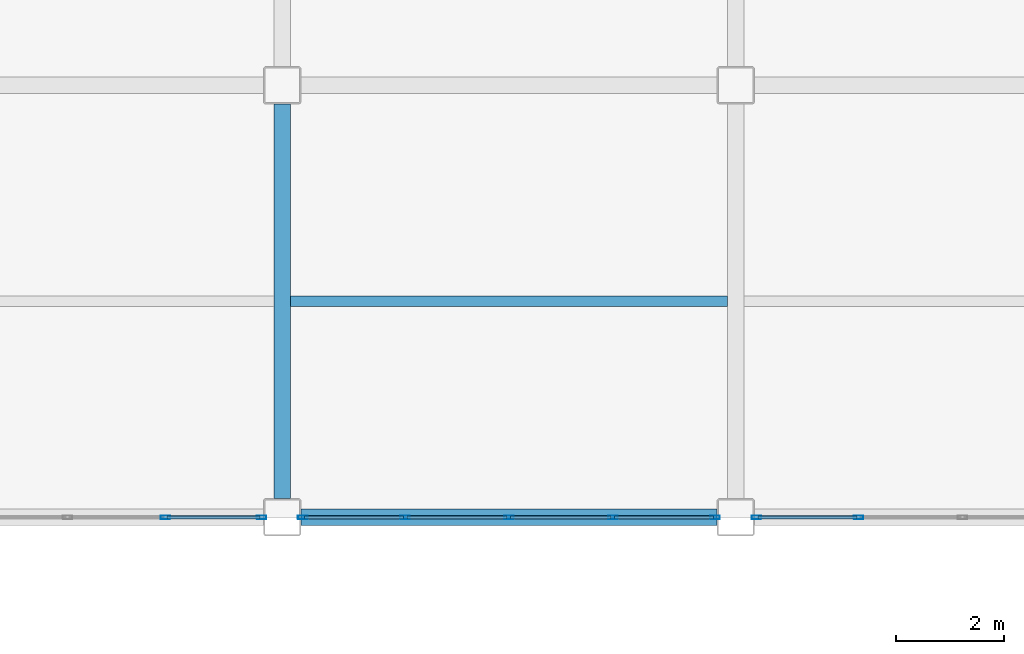
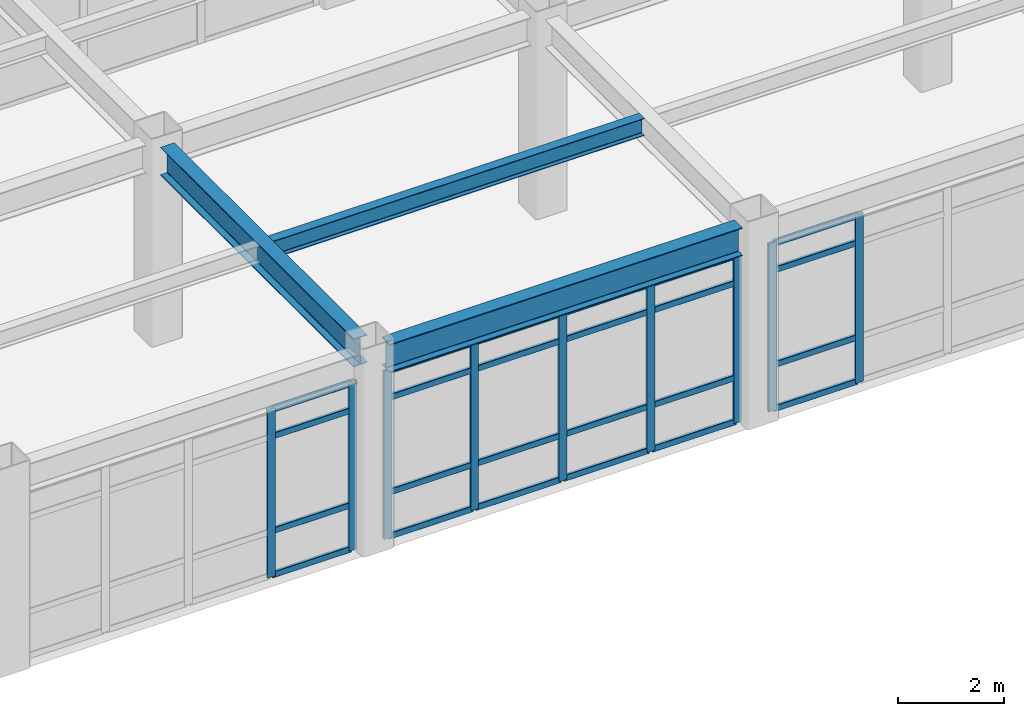
# One storey, part 47 of 154: 33 members, 3 beams, 3 elements without a shape of their own.
"""IFC4 building model written with IfcOpenShell, lengths in metres."""

from ifc_helpers import new_model, si_unit, direction, frame, origin, origin_2d, place, context, subcontext, project, spatial, hollow_rectangle, i_section, extrude, material, layer, layer_set, material_profile, profile_set, type_object, element, aggregate, save


model = new_model("IFC4")

# Units and contexts
model_context = context("Model", 3, precision=1e-05, world=origin(), true_north=direction((0.0, 1.0)))
body_context = subcontext(model_context, "Body", "Model", "MODEL_VIEW")
ifc_project = project(units=[si_unit("LENGTHUNIT", "METRE"), si_unit("AREAUNIT", "SQUARE_METRE"), si_unit("VOLUMEUNIT", "CUBIC_METRE"), si_unit("PLANEANGLEUNIT", "RADIAN"), si_unit("MASSUNIT", "GRAM", prefix="KILO")], contexts=[model_context])

# Site, building, storey
site_placement = place(None, origin())
site = spatial("IfcSite", under=ifc_project, at=site_placement, CompositionType="ELEMENT")
building_placement = place(site_placement, origin())
building = spatial("IfcBuilding", under=site, at=building_placement, Name="Kazehara Bluff Congress Hotel", CompositionType="ELEMENT")
storey_placement = place(building_placement, frame((0.0, 0.0, 10.199951171875)))
storey = spatial("IfcBuildingStorey", under=building, at=storey_placement, Name="L02", CompositionType="ELEMENT", Elevation=10.199951171875)

# Curtain wall, members
ifc_material_1 = material(Name="Anodised aluminium", Category="aluminium")
ifc_layer_1 = layer(ifc_material_1, 0.159912109375)
ifc_layer_set_1 = layer_set([ifc_layer_1], Name="Anodised aluminium")
curtain_wall_type_1 = type_object("IfcCurtainWallType", Name="TP-CW-78", PredefinedType="NOTDEFINED", material=ifc_layer_set_1)
curtain_wall_1_placement = place(storey_placement, origin())
curtain_wall_1 = element("IfcCurtainWall", 1, at=curtain_wall_1_placement, inside=storey, type_object=curtain_wall_type_1, Name="L02 curtain wall CW-78 CW-V5-L02-Y1600-11090", PredefinedType="NOTDEFINED")
ifc_material_2 = material(Name="Anodised aluminium", Category="aluminium")
ifc_material_profile_1 = material_profile(ifc_material_2, hollow_rectangle(XDim=0.06494140625, YDim=0.179931640625, WallThickness=0.00390625, InnerFilletRadius=0.00390625, OuterFilletRadius=0.008056640625, at=origin_2d()))
ifc_profile_set_1 = profile_set([ifc_material_profile_1], Name="Anodised aluminium")
member_type_1 = type_object("IfcMemberType", Name="TP-CWM-02", PredefinedType="MULLION", material=ifc_profile_set_1)
member_1_placement = place(storey_placement, frame((116.33740234375, 16.0, 0.0), z_axis=(0.0, 0.0, 1.0), x_axis=(0.0, 1.0, 0.0)))
member_1 = element("IfcMember", 2, at=member_1_placement, type_object=member_type_1, Name="CW-78 mullion 4", PredefinedType="MULLION", context=body_context, shape_type="SweptSolid", body=[
    extrude(hollow_rectangle(XDim=0.06494140625, YDim=0.179931640625, WallThickness=0.00390625, InnerFilletRadius=0.00390625, OuterFilletRadius=0.008056640625, at=origin_2d()), origin(), (0.0, 0.0, 1.0), 3.885009765625),
])
member_2_placement = place(storey_placement, frame((118.117431640625, 16.0, 0.0), z_axis=(0.0, 0.0, 1.0), x_axis=(0.0, 1.0, 0.0)))
member_2 = element("IfcMember", 3, at=member_2_placement, type_object=member_type_1, Name="CW-78 mullion 5", PredefinedType="MULLION", context=body_context, shape_type="SweptSolid", body=[
    extrude(hollow_rectangle(XDim=0.06494140625, YDim=0.179931640625, WallThickness=0.00390625, InnerFilletRadius=0.00390625, OuterFilletRadius=0.008056640625, at=origin_2d()), origin(), (0.0, 0.0, 1.0), 3.885009765625),
])

ifc_material_3 = material(Name="Anodised aluminium", Category="aluminium")
ifc_layer_2 = layer(ifc_material_3, 0.159912109375)
ifc_layer_set_2 = layer_set([ifc_layer_2], Name="Anodised aluminium")
curtain_wall_type_2 = type_object("IfcCurtainWallType", Name="TP-CW-79", PredefinedType="NOTDEFINED", material=ifc_layer_set_2)
curtain_wall_2_placement = place(storey_placement, origin())
curtain_wall_2 = element("IfcCurtainWall", 4, at=curtain_wall_2_placement, inside=storey, type_object=curtain_wall_type_2, Name="L02 curtain wall CW-79 CW-V5-L02-Y1600-11885", PredefinedType="NOTDEFINED")
member_3_placement = place(storey_placement, frame((118.882568359375, 16.0, 0.0), z_axis=(0.0, 0.0, 1.0), x_axis=(0.0, 1.0, 0.0)))
member_3 = element("IfcMember", 5, at=member_3_placement, type_object=member_type_1, Name="CW-79 mullion 1", PredefinedType="MULLION", context=body_context, shape_type="SweptSolid", body=[
    extrude(hollow_rectangle(XDim=0.06494140625, YDim=0.179931640625, WallThickness=0.00390625, InnerFilletRadius=0.00390625, OuterFilletRadius=0.008056640625, at=origin_2d()), origin(), (0.0, 0.0, 1.0), 3.885009765625),
])
member_4_placement = place(storey_placement, frame((120.77490234375, 16.0, 0.0), z_axis=(0.0, 0.0, 1.0), x_axis=(0.0, 1.0, 0.0)))
member_4 = element("IfcMember", 6, at=member_4_placement, type_object=member_type_1, Name="CW-79 mullion 2", PredefinedType="MULLION", context=body_context, shape_type="SweptSolid", body=[
    extrude(hollow_rectangle(XDim=0.06494140625, YDim=0.179931640625, WallThickness=0.00390625, InnerFilletRadius=0.00390625, OuterFilletRadius=0.008056640625, at=origin_2d()), origin(), (0.0, 0.0, 1.0), 3.885009765625),
])
member_5_placement = place(storey_placement, frame((122.699951171875, 16.0, 0.0), z_axis=(0.0, 0.0, 1.0), x_axis=(0.0, 1.0, 0.0)))
member_5 = element("IfcMember", 7, at=member_5_placement, type_object=member_type_1, Name="CW-79 mullion 3", PredefinedType="MULLION", context=body_context, shape_type="SweptSolid", body=[
    extrude(hollow_rectangle(XDim=0.06494140625, YDim=0.179931640625, WallThickness=0.00390625, InnerFilletRadius=0.00390625, OuterFilletRadius=0.008056640625, at=origin_2d()), origin(), (0.0, 0.0, 1.0), 3.885009765625),
])
member_6_placement = place(storey_placement, frame((124.625, 16.0, 0.0), z_axis=(0.0, 0.0, 1.0), x_axis=(0.0, 1.0, 0.0)))
member_6 = element("IfcMember", 8, at=member_6_placement, type_object=member_type_1, Name="CW-79 mullion 4", PredefinedType="MULLION", context=body_context, shape_type="SweptSolid", body=[
    extrude(hollow_rectangle(XDim=0.06494140625, YDim=0.179931640625, WallThickness=0.00390625, InnerFilletRadius=0.00390625, OuterFilletRadius=0.008056640625, at=origin_2d()), origin(), (0.0, 0.0, 1.0), 3.885009765625),
])
member_7_placement = place(storey_placement, frame((126.517578125, 16.0, 0.0), z_axis=(0.0, 0.0, 1.0), x_axis=(0.0, 1.0, 0.0)))
member_7 = element("IfcMember", 9, at=member_7_placement, type_object=member_type_1, Name="CW-79 mullion 5", PredefinedType="MULLION", context=body_context, shape_type="SweptSolid", body=[
    extrude(hollow_rectangle(XDim=0.06494140625, YDim=0.179931640625, WallThickness=0.00390625, InnerFilletRadius=0.00390625, OuterFilletRadius=0.008056640625, at=origin_2d()), origin(), (0.0, 0.0, 1.0), 3.885009765625),
])

curtain_wall_3_placement = place(storey_placement, origin())
curtain_wall_3 = element("IfcCurtainWall", 10, at=curtain_wall_3_placement, inside=storey, type_object=curtain_wall_type_2, Name="L02 curtain wall CW-79 CW-V5-L02-Y1600-12725", PredefinedType="NOTDEFINED")
member_8_placement = place(storey_placement, frame((127.282470703125, 16.0, 0.0), z_axis=(0.0, 0.0, 1.0), x_axis=(0.0, 1.0, 0.0)))
member_8 = element("IfcMember", 11, at=member_8_placement, type_object=member_type_1, Name="CW-79 mullion 1", PredefinedType="MULLION", context=body_context, shape_type="SweptSolid", body=[
    extrude(hollow_rectangle(XDim=0.06494140625, YDim=0.179931640625, WallThickness=0.00390625, InnerFilletRadius=0.00390625, OuterFilletRadius=0.008056640625, at=origin_2d()), origin(), (0.0, 0.0, 1.0), 3.885009765625),
])
member_9_placement = place(storey_placement, frame((129.175048828125, 16.0, 0.0), z_axis=(0.0, 0.0, 1.0), x_axis=(0.0, 1.0, 0.0)))
member_9 = element("IfcMember", 12, at=member_9_placement, type_object=member_type_1, Name="CW-79 mullion 2", PredefinedType="MULLION", context=body_context, shape_type="SweptSolid", body=[
    extrude(hollow_rectangle(XDim=0.06494140625, YDim=0.179931640625, WallThickness=0.00390625, InnerFilletRadius=0.00390625, OuterFilletRadius=0.008056640625, at=origin_2d()), origin(), (0.0, 0.0, 1.0), 3.885009765625),
])

# Member
ifc_material_4 = material(Name="Anodised aluminium", Category="aluminium")
ifc_material_profile_2 = material_profile(ifc_material_4, hollow_rectangle(XDim=0.06494140625, YDim=0.139892578125, WallThickness=0.00390625, InnerFilletRadius=0.00390625, OuterFilletRadius=0.008056640625, at=origin_2d()))
ifc_profile_set_2 = profile_set([ifc_material_profile_2], Name="Anodised aluminium")
member_type_2 = type_object("IfcMemberType", Name="TP-CWT-02", PredefinedType="USERDEFINED", material=ifc_profile_set_2)
member_10_placement = place(storey_placement, frame((116.3701171875, 16.0, 0.032470703125), z_axis=(1.0, 0.0, 0.0), x_axis=(0.0, 1.0, 0.0)))
member_10 = element("IfcMember", 13, at=member_10_placement, type_object=member_type_2, Name="CW-78 transom 4.1", ObjectType="TRANSOM", PredefinedType="USERDEFINED", context=body_context, shape_type="SweptSolid", body=[
    extrude(hollow_rectangle(XDim=0.06494140625, YDim=0.139892578125, WallThickness=0.00390625, InnerFilletRadius=0.00390625, OuterFilletRadius=0.008056640625, at=origin_2d()), origin(), (0.0, 0.0, 1.0), 1.71484375),
])

member_11_placement = place(storey_placement, frame((116.3701171875, 16.0, 1.050048828125), z_axis=(1.0, 0.0, 0.0), x_axis=(0.0, 1.0, 0.0)))
member_11 = element("IfcMember", 14, at=member_11_placement, type_object=member_type_2, Name="CW-78 transom 4.2", ObjectType="TRANSOM", PredefinedType="USERDEFINED", context=body_context, shape_type="SweptSolid", body=[
    extrude(hollow_rectangle(XDim=0.06494140625, YDim=0.139892578125, WallThickness=0.00390625, InnerFilletRadius=0.00390625, OuterFilletRadius=0.008056640625, at=origin_2d()), origin(), (0.0, 0.0, 1.0), 1.71484375),
])

member_12_placement = place(storey_placement, frame((116.3701171875, 16.0, 3.235107421875), z_axis=(1.0, 0.0, 0.0), x_axis=(0.0, 1.0, 0.0)))
member_12 = element("IfcMember", 15, at=member_12_placement, type_object=member_type_2, Name="CW-78 transom 4.3", ObjectType="TRANSOM", PredefinedType="USERDEFINED", context=body_context, shape_type="SweptSolid", body=[
    extrude(hollow_rectangle(XDim=0.06494140625, YDim=0.139892578125, WallThickness=0.00390625, InnerFilletRadius=0.00390625, OuterFilletRadius=0.008056640625, at=origin_2d()), origin(), (0.0, 0.0, 1.0), 1.71484375),
])

member_13_placement = place(storey_placement, frame((116.3701171875, 16.0, 3.8525390625), z_axis=(1.0, 0.0, 0.0), x_axis=(0.0, 1.0, 0.0)))
member_13 = element("IfcMember", 16, at=member_13_placement, type_object=member_type_2, Name="CW-78 transom 4.4", ObjectType="TRANSOM", PredefinedType="USERDEFINED", context=body_context, shape_type="SweptSolid", body=[
    extrude(hollow_rectangle(XDim=0.06494140625, YDim=0.139892578125, WallThickness=0.00390625, InnerFilletRadius=0.00390625, OuterFilletRadius=0.008056640625, at=origin_2d()), origin(), (0.0, 0.0, 1.0), 1.71484375),
])

aggregate(curtain_wall_1, [member_1, member_2, member_10, member_11, member_12, member_13])

member_14_placement = place(storey_placement, frame((118.9150390625, 16.0, 0.032470703125), z_axis=(1.0, 0.0, 0.0), x_axis=(0.0, 1.0, 0.0)))
member_14 = element("IfcMember", 17, at=member_14_placement, type_object=member_type_2, Name="CW-79 transom 1.1", ObjectType="TRANSOM", PredefinedType="USERDEFINED", context=body_context, shape_type="SweptSolid", body=[
    extrude(hollow_rectangle(XDim=0.06494140625, YDim=0.139892578125, WallThickness=0.00390625, InnerFilletRadius=0.00390625, OuterFilletRadius=0.008056640625, at=origin_2d()), origin(), (0.0, 0.0, 1.0), 1.827392578125),
])

member_15_placement = place(storey_placement, frame((118.9150390625, 16.0, 1.050048828125), z_axis=(1.0, 0.0, 0.0), x_axis=(0.0, 1.0, 0.0)))
member_15 = element("IfcMember", 18, at=member_15_placement, type_object=member_type_2, Name="CW-79 transom 1.2", ObjectType="TRANSOM", PredefinedType="USERDEFINED", context=body_context, shape_type="SweptSolid", body=[
    extrude(hollow_rectangle(XDim=0.06494140625, YDim=0.139892578125, WallThickness=0.00390625, InnerFilletRadius=0.00390625, OuterFilletRadius=0.008056640625, at=origin_2d()), origin(), (0.0, 0.0, 1.0), 1.827392578125),
])

member_16_placement = place(storey_placement, frame((118.9150390625, 16.0, 3.235107421875), z_axis=(1.0, 0.0, 0.0), x_axis=(0.0, 1.0, 0.0)))
member_16 = element("IfcMember", 19, at=member_16_placement, type_object=member_type_2, Name="CW-79 transom 1.3", ObjectType="TRANSOM", PredefinedType="USERDEFINED", context=body_context, shape_type="SweptSolid", body=[
    extrude(hollow_rectangle(XDim=0.06494140625, YDim=0.139892578125, WallThickness=0.00390625, InnerFilletRadius=0.00390625, OuterFilletRadius=0.008056640625, at=origin_2d()), origin(), (0.0, 0.0, 1.0), 1.827392578125),
])

member_17_placement = place(storey_placement, frame((118.9150390625, 16.0, 3.8525390625), z_axis=(1.0, 0.0, 0.0), x_axis=(0.0, 1.0, 0.0)))
member_17 = element("IfcMember", 20, at=member_17_placement, type_object=member_type_2, Name="CW-79 transom 1.4", ObjectType="TRANSOM", PredefinedType="USERDEFINED", context=body_context, shape_type="SweptSolid", body=[
    extrude(hollow_rectangle(XDim=0.06494140625, YDim=0.139892578125, WallThickness=0.00390625, InnerFilletRadius=0.00390625, OuterFilletRadius=0.008056640625, at=origin_2d()), origin(), (0.0, 0.0, 1.0), 1.827392578125),
])

member_18_placement = place(storey_placement, frame((120.8076171875, 16.0, 0.032470703125), z_axis=(1.0, 0.0, 0.0), x_axis=(0.0, 1.0, 0.0)))
member_18 = element("IfcMember", 21, at=member_18_placement, type_object=member_type_2, Name="CW-79 transom 2.1", ObjectType="TRANSOM", PredefinedType="USERDEFINED", context=body_context, shape_type="SweptSolid", body=[
    extrude(hollow_rectangle(XDim=0.06494140625, YDim=0.139892578125, WallThickness=0.00390625, InnerFilletRadius=0.00390625, OuterFilletRadius=0.008056640625, at=origin_2d()), origin(), (0.0, 0.0, 1.0), 1.85986328125),
])

member_19_placement = place(storey_placement, frame((120.8076171875, 16.0, 1.050048828125), z_axis=(1.0, 0.0, 0.0), x_axis=(0.0, 1.0, 0.0)))
member_19 = element("IfcMember", 22, at=member_19_placement, type_object=member_type_2, Name="CW-79 transom 2.2", ObjectType="TRANSOM", PredefinedType="USERDEFINED", context=body_context, shape_type="SweptSolid", body=[
    extrude(hollow_rectangle(XDim=0.06494140625, YDim=0.139892578125, WallThickness=0.00390625, InnerFilletRadius=0.00390625, OuterFilletRadius=0.008056640625, at=origin_2d()), origin(), (0.0, 0.0, 1.0), 1.85986328125),
])

member_20_placement = place(storey_placement, frame((120.8076171875, 16.0, 3.235107421875), z_axis=(1.0, 0.0, 0.0), x_axis=(0.0, 1.0, 0.0)))
member_20 = element("IfcMember", 23, at=member_20_placement, type_object=member_type_2, Name="CW-79 transom 2.3", ObjectType="TRANSOM", PredefinedType="USERDEFINED", context=body_context, shape_type="SweptSolid", body=[
    extrude(hollow_rectangle(XDim=0.06494140625, YDim=0.139892578125, WallThickness=0.00390625, InnerFilletRadius=0.00390625, OuterFilletRadius=0.008056640625, at=origin_2d()), origin(), (0.0, 0.0, 1.0), 1.85986328125),
])

member_21_placement = place(storey_placement, frame((120.8076171875, 16.0, 3.8525390625), z_axis=(1.0, 0.0, 0.0), x_axis=(0.0, 1.0, 0.0)))
member_21 = element("IfcMember", 24, at=member_21_placement, type_object=member_type_2, Name="CW-79 transom 2.4", ObjectType="TRANSOM", PredefinedType="USERDEFINED", context=body_context, shape_type="SweptSolid", body=[
    extrude(hollow_rectangle(XDim=0.06494140625, YDim=0.139892578125, WallThickness=0.00390625, InnerFilletRadius=0.00390625, OuterFilletRadius=0.008056640625, at=origin_2d()), origin(), (0.0, 0.0, 1.0), 1.85986328125),
])

member_22_placement = place(storey_placement, frame((122.732421875, 16.0, 0.032470703125), z_axis=(1.0, 0.0, 0.0), x_axis=(0.0, 1.0, 0.0)))
member_22 = element("IfcMember", 25, at=member_22_placement, type_object=member_type_2, Name="CW-79 transom 3.1", ObjectType="TRANSOM", PredefinedType="USERDEFINED", context=body_context, shape_type="SweptSolid", body=[
    extrude(hollow_rectangle(XDim=0.06494140625, YDim=0.139892578125, WallThickness=0.00390625, InnerFilletRadius=0.00390625, OuterFilletRadius=0.008056640625, at=origin_2d()), origin(), (0.0, 0.0, 1.0), 1.860107421875),
])

member_23_placement = place(storey_placement, frame((122.732421875, 16.0, 1.050048828125), z_axis=(1.0, 0.0, 0.0), x_axis=(0.0, 1.0, 0.0)))
member_23 = element("IfcMember", 26, at=member_23_placement, type_object=member_type_2, Name="CW-79 transom 3.2", ObjectType="TRANSOM", PredefinedType="USERDEFINED", context=body_context, shape_type="SweptSolid", body=[
    extrude(hollow_rectangle(XDim=0.06494140625, YDim=0.139892578125, WallThickness=0.00390625, InnerFilletRadius=0.00390625, OuterFilletRadius=0.008056640625, at=origin_2d()), origin(), (0.0, 0.0, 1.0), 1.860107421875),
])

member_24_placement = place(storey_placement, frame((122.732421875, 16.0, 3.235107421875), z_axis=(1.0, 0.0, 0.0), x_axis=(0.0, 1.0, 0.0)))
member_24 = element("IfcMember", 27, at=member_24_placement, type_object=member_type_2, Name="CW-79 transom 3.3", ObjectType="TRANSOM", PredefinedType="USERDEFINED", context=body_context, shape_type="SweptSolid", body=[
    extrude(hollow_rectangle(XDim=0.06494140625, YDim=0.139892578125, WallThickness=0.00390625, InnerFilletRadius=0.00390625, OuterFilletRadius=0.008056640625, at=origin_2d()), origin(), (0.0, 0.0, 1.0), 1.860107421875),
])

member_25_placement = place(storey_placement, frame((122.732421875, 16.0, 3.8525390625), z_axis=(1.0, 0.0, 0.0), x_axis=(0.0, 1.0, 0.0)))
member_25 = element("IfcMember", 28, at=member_25_placement, type_object=member_type_2, Name="CW-79 transom 3.4", ObjectType="TRANSOM", PredefinedType="USERDEFINED", context=body_context, shape_type="SweptSolid", body=[
    extrude(hollow_rectangle(XDim=0.06494140625, YDim=0.139892578125, WallThickness=0.00390625, InnerFilletRadius=0.00390625, OuterFilletRadius=0.008056640625, at=origin_2d()), origin(), (0.0, 0.0, 1.0), 1.860107421875),
])

member_26_placement = place(storey_placement, frame((124.657470703125, 16.0, 0.032470703125), z_axis=(1.0, 0.0, 0.0), x_axis=(0.0, 1.0, 0.0)))
member_26 = element("IfcMember", 29, at=member_26_placement, type_object=member_type_2, Name="CW-79 transom 4.1", ObjectType="TRANSOM", PredefinedType="USERDEFINED", context=body_context, shape_type="SweptSolid", body=[
    extrude(hollow_rectangle(XDim=0.06494140625, YDim=0.139892578125, WallThickness=0.00390625, InnerFilletRadius=0.00390625, OuterFilletRadius=0.008056640625, at=origin_2d()), origin(), (0.0, 0.0, 1.0), 1.82763671875),
])

member_27_placement = place(storey_placement, frame((124.657470703125, 16.0, 1.050048828125), z_axis=(1.0, 0.0, 0.0), x_axis=(0.0, 1.0, 0.0)))
member_27 = element("IfcMember", 30, at=member_27_placement, type_object=member_type_2, Name="CW-79 transom 4.2", ObjectType="TRANSOM", PredefinedType="USERDEFINED", context=body_context, shape_type="SweptSolid", body=[
    extrude(hollow_rectangle(XDim=0.06494140625, YDim=0.139892578125, WallThickness=0.00390625, InnerFilletRadius=0.00390625, OuterFilletRadius=0.008056640625, at=origin_2d()), origin(), (0.0, 0.0, 1.0), 1.82763671875),
])

member_28_placement = place(storey_placement, frame((124.657470703125, 16.0, 3.235107421875), z_axis=(1.0, 0.0, 0.0), x_axis=(0.0, 1.0, 0.0)))
member_28 = element("IfcMember", 31, at=member_28_placement, type_object=member_type_2, Name="CW-79 transom 4.3", ObjectType="TRANSOM", PredefinedType="USERDEFINED", context=body_context, shape_type="SweptSolid", body=[
    extrude(hollow_rectangle(XDim=0.06494140625, YDim=0.139892578125, WallThickness=0.00390625, InnerFilletRadius=0.00390625, OuterFilletRadius=0.008056640625, at=origin_2d()), origin(), (0.0, 0.0, 1.0), 1.82763671875),
])

member_29_placement = place(storey_placement, frame((124.657470703125, 16.0, 3.8525390625), z_axis=(1.0, 0.0, 0.0), x_axis=(0.0, 1.0, 0.0)))
member_29 = element("IfcMember", 32, at=member_29_placement, type_object=member_type_2, Name="CW-79 transom 4.4", ObjectType="TRANSOM", PredefinedType="USERDEFINED", context=body_context, shape_type="SweptSolid", body=[
    extrude(hollow_rectangle(XDim=0.06494140625, YDim=0.139892578125, WallThickness=0.00390625, InnerFilletRadius=0.00390625, OuterFilletRadius=0.008056640625, at=origin_2d()), origin(), (0.0, 0.0, 1.0), 1.82763671875),
])

aggregate(curtain_wall_2, [member_3, member_4, member_5, member_6, member_7, member_14, member_15, member_16, member_17, member_18, member_19, member_20, member_21, member_22, member_23, member_24, member_25, member_26, member_27, member_28, member_29])

member_30_placement = place(storey_placement, frame((127.31494140625, 16.0, 0.032470703125), z_axis=(1.0, 0.0, 0.0), x_axis=(0.0, 1.0, 0.0)))
member_30 = element("IfcMember", 33, at=member_30_placement, type_object=member_type_2, Name="CW-79 transom 1.1", ObjectType="TRANSOM", PredefinedType="USERDEFINED", context=body_context, shape_type="SweptSolid", body=[
    extrude(hollow_rectangle(XDim=0.06494140625, YDim=0.139892578125, WallThickness=0.00390625, InnerFilletRadius=0.00390625, OuterFilletRadius=0.008056640625, at=origin_2d()), origin(), (0.0, 0.0, 1.0), 1.82763671875),
])

member_31_placement = place(storey_placement, frame((127.31494140625, 16.0, 1.050048828125), z_axis=(1.0, 0.0, 0.0), x_axis=(0.0, 1.0, 0.0)))
member_31 = element("IfcMember", 34, at=member_31_placement, type_object=member_type_2, Name="CW-79 transom 1.2", ObjectType="TRANSOM", PredefinedType="USERDEFINED", context=body_context, shape_type="SweptSolid", body=[
    extrude(hollow_rectangle(XDim=0.06494140625, YDim=0.139892578125, WallThickness=0.00390625, InnerFilletRadius=0.00390625, OuterFilletRadius=0.008056640625, at=origin_2d()), origin(), (0.0, 0.0, 1.0), 1.82763671875),
])

member_32_placement = place(storey_placement, frame((127.31494140625, 16.0, 3.235107421875), z_axis=(1.0, 0.0, 0.0), x_axis=(0.0, 1.0, 0.0)))
member_32 = element("IfcMember", 35, at=member_32_placement, type_object=member_type_2, Name="CW-79 transom 1.3", ObjectType="TRANSOM", PredefinedType="USERDEFINED", context=body_context, shape_type="SweptSolid", body=[
    extrude(hollow_rectangle(XDim=0.06494140625, YDim=0.139892578125, WallThickness=0.00390625, InnerFilletRadius=0.00390625, OuterFilletRadius=0.008056640625, at=origin_2d()), origin(), (0.0, 0.0, 1.0), 1.82763671875),
])

member_33_placement = place(storey_placement, frame((127.31494140625, 16.0, 3.8525390625), z_axis=(1.0, 0.0, 0.0), x_axis=(0.0, 1.0, 0.0)))
member_33 = element("IfcMember", 36, at=member_33_placement, type_object=member_type_2, Name="CW-79 transom 1.4", ObjectType="TRANSOM", PredefinedType="USERDEFINED", context=body_context, shape_type="SweptSolid", body=[
    extrude(hollow_rectangle(XDim=0.06494140625, YDim=0.139892578125, WallThickness=0.00390625, InnerFilletRadius=0.00390625, OuterFilletRadius=0.008056640625, at=origin_2d()), origin(), (0.0, 0.0, 1.0), 1.82763671875),
])

aggregate(curtain_wall_3, [member_8, member_9, member_30, member_31, member_32, member_33])

# Beams
ifc_material_5 = material(Name="Steel SN490B", Category="steel")
ifc_material_profile_3 = material_profile(ifc_material_5, i_section(OverallWidth=0.300048828125, OverallDepth=0.64990234375, WebThickness=0.011962890625, FlangeThickness=0.02001953125, FilletRadius=0.012939453125, at=origin_2d()))
ifc_profile_set_3 = profile_set([ifc_material_profile_3], Name="Steel SN490B")
beam_type_1 = type_object("IfcBeamType", Name="TP-G-03", PredefinedType="BEAM", material=ifc_profile_set_3)
beam_1_placement = place(storey_placement, frame((118.5, 16.35009765625, 4.235107421875), z_axis=(0.0, 1.0, 0.0), x_axis=(-1.0, 0.0, 0.0)))
element("IfcBeam", 37, at=beam_1_placement, inside=storey, type_object=beam_type_1, Name="L02 girder G-03 132", PredefinedType="BEAM", context=body_context, shape_type="SweptSolid", body=[
    extrude(i_section(OverallWidth=0.300048828125, OverallDepth=0.64990234375, WebThickness=0.011962890625, FlangeThickness=0.02001953125, FilletRadius=0.012939453125, at=origin_2d()), origin(), (0.0, 0.0, 1.0), 7.2998046875),
])
beam_2_placement = place(storey_placement, frame((118.85009765625, 16.0, 4.235107421875), z_axis=(1.0, 0.0, 0.0), x_axis=(0.0, 1.0, 0.0)))
element("IfcBeam", 38, at=beam_2_placement, inside=storey, type_object=beam_type_1, Name="L02 girder G-03 187", PredefinedType="BEAM", context=body_context, shape_type="SweptSolid", body=[
    extrude(i_section(OverallWidth=0.300048828125, OverallDepth=0.64990234375, WebThickness=0.011962890625, FlangeThickness=0.02001953125, FilletRadius=0.012939453125, at=origin_2d()), origin(), (0.0, 0.0, 1.0), 7.699951171875),
])
ifc_material_6 = material(Name="Steel SN400B", Category="steel")
ifc_material_profile_4 = material_profile(ifc_material_6, i_section(OverallWidth=0.199951171875, OverallDepth=0.39990234375, WebThickness=0.008056640625, FlangeThickness=0.012939453125, FilletRadius=0.012939453125, at=origin_2d()))
ifc_profile_set_4 = profile_set([ifc_material_profile_4], Name="Steel SN400B")
beam_type_2 = type_object("IfcBeamType", Name="TP-J-03", PredefinedType="JOIST", material=ifc_profile_set_4)
beam_3_placement = place(storey_placement, frame((118.64990234375, 20.0, 4.360107421875), z_axis=(1.0, 0.0, 0.0), x_axis=(0.0, 1.0, 0.0)))
element("IfcBeam", 39, at=beam_3_placement, inside=storey, type_object=beam_type_2, Name="L02 secondary joist J-03 29", PredefinedType="JOIST", context=body_context, shape_type="SweptSolid", body=[
    extrude(i_section(OverallWidth=0.199951171875, OverallDepth=0.39990234375, WebThickness=0.008056640625, FlangeThickness=0.012939453125, FilletRadius=0.012939453125, at=origin_2d()), origin(), (0.0, 0.0, 1.0), 8.10009765625),
])

save(model, "model.ifc")
